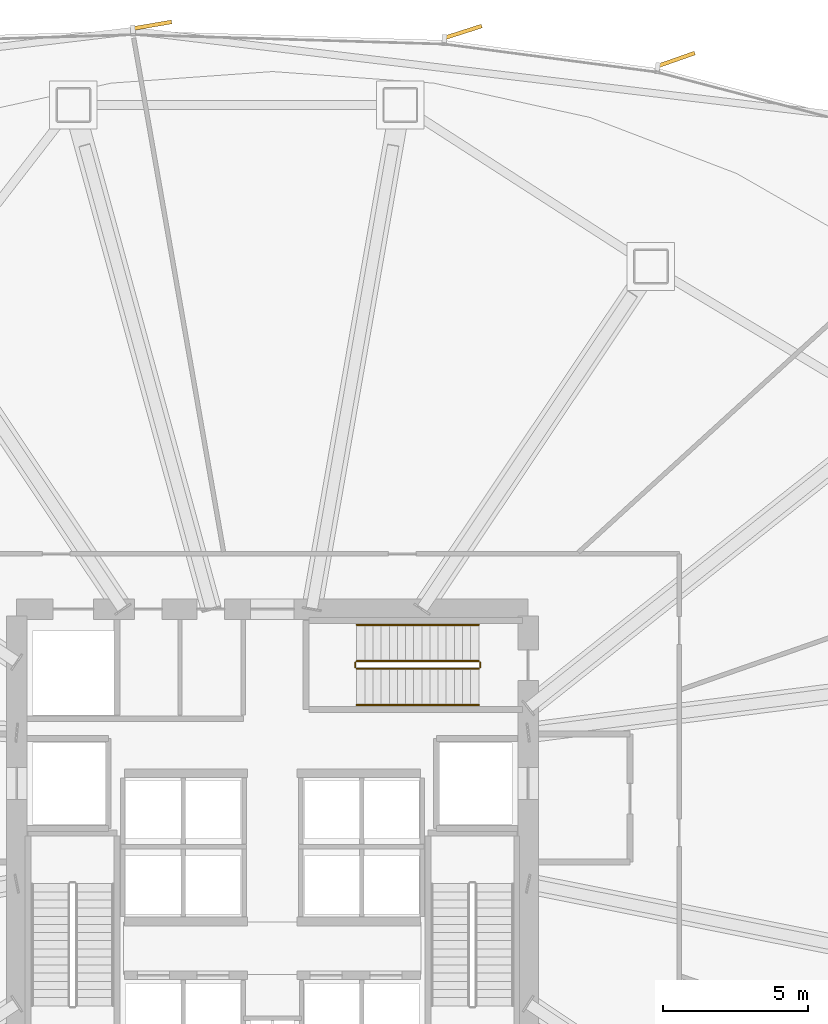
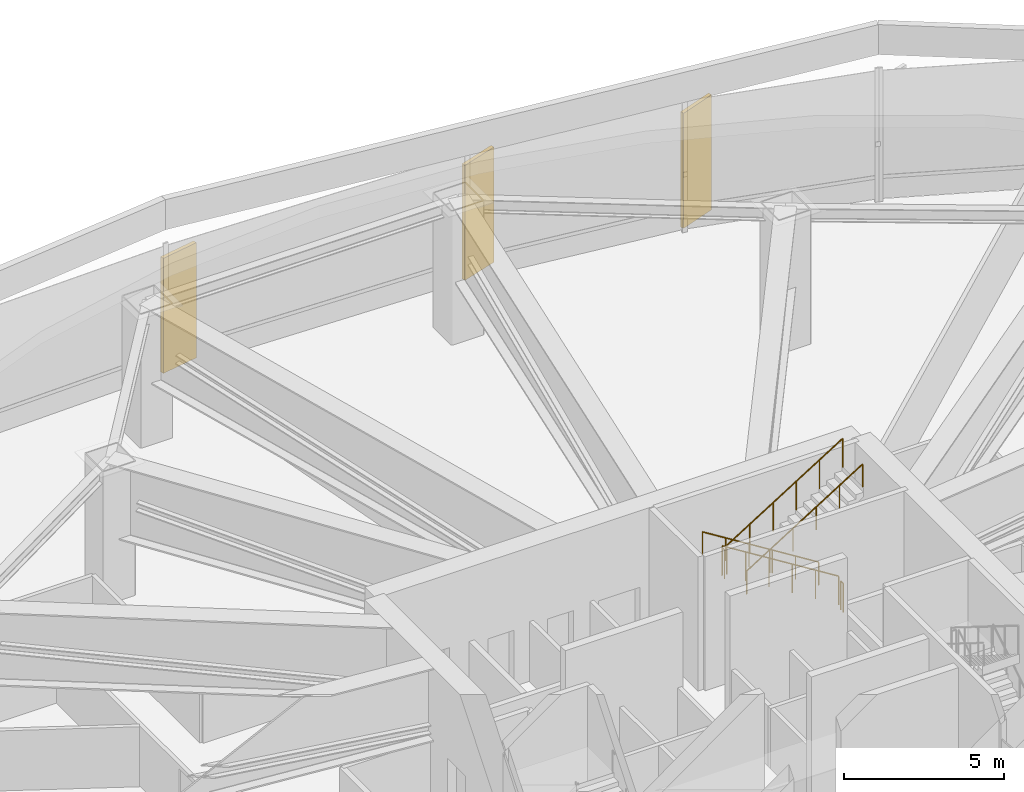
# One storey, part 35 of 36: 6 railings, 3 coverings.
"""IFC4 building model written with IfcOpenShell, lengths in metres."""

from ifc_helpers import new_model, si_unit, direction, frame, origin, origin_2d, place, context, subcontext, project, spatial, rectangle, circle, extrude, source, transform, mapped, material, layer, layer_set, type_object, element, save


model = new_model("IFC4")

# Units and contexts
model_context = context("Model", 3, precision=1e-05, world=origin(), true_north=direction((0.0, 1.0)))
body_context = subcontext(model_context, "Body", "Model", "MODEL_VIEW")
ifc_project = project(units=[si_unit("LENGTHUNIT", "METRE"), si_unit("AREAUNIT", "SQUARE_METRE"), si_unit("VOLUMEUNIT", "CUBIC_METRE"), si_unit("PLANEANGLEUNIT", "RADIAN"), si_unit("MASSUNIT", "GRAM", prefix="KILO"), si_unit("THERMODYNAMICTEMPERATUREUNIT", "KELVIN")], contexts=[model_context])

# Site, building, storey
site_placement = place(None, origin())
site = spatial("IfcSite", under=ifc_project, at=site_placement, CompositionType="ELEMENT")
building_placement = place(site_placement, origin())
building = spatial("IfcBuilding", under=site, at=building_placement, Name="Kethvar Cultural Tower", CompositionType="ELEMENT")
storey_placement = place(building_placement, frame((0.0, 0.0, 24.0)))
storey = spatial("IfcBuildingStorey", under=building, at=storey_placement, Name="L05", CompositionType="ELEMENT", Elevation=24.0)

# Railings
ifc_material_1 = material(Name="Steel S355J2", Category="steel")
railing_type_1 = type_object("IfcRailingType", Name="RL-STAIR-GUARD", PredefinedType="BALUSTRADE", material=ifc_material_1)
railing_1_placement = place(storey_placement, frame((53.89990234375, 33.7099609375, 0.175048828125)))
element("IfcRailing", 1, at=railing_1_placement, inside=storey, type_object=railing_type_1, Name="L05 ST-03 stair guard 1", PredefinedType="BALUSTRADE", context=body_context, shape_type="SweptSolid", body=[
    extrude(circle(Radius=0.02392578125, at=origin_2d()), frame((0.0, 0.0, 1.09619140625), z_axis=(-0.847995534698, 0.0, 0.530003370869), x_axis=(0.0, -1.0, 0.0)), (0.0, 0.0, 1.0), 4.952880859375),
    extrude(circle(Radius=0.02099609375, at=origin_2d()), origin(), (0.0, 0.0, 1.0), 1.072021484375),
    extrude(circle(Radius=0.02099609375, at=origin_2d()), frame((-0.840087890625, 0.0, 0.52490234375)), (0.0, 0.0, 1.0), 1.072021484375),
    extrude(circle(Radius=0.02099609375, at=origin_2d()), frame((-1.679931640625, 0.0, 1.050048828125)), (0.0, 0.0, 1.0), 1.072021484375),
    extrude(circle(Radius=0.02099609375, at=origin_2d()), frame((-2.52001953125, 0.0, 1.574951171875)), (0.0, 0.0, 1.0), 1.072021484375),
    extrude(circle(Radius=0.02099609375, at=origin_2d()), frame((-3.35986328125, 0.0, 2.10009765625)), (0.0, 0.0, 1.0), 1.072021484375),
    extrude(circle(Radius=0.02099609375, at=origin_2d()), frame((-4.199951171875, 0.0, 2.625)), (0.0, 0.0, 1.0), 1.072021484375),
])
railing_2_placement = place(storey_placement, frame((49.64990234375, 33.659912109375, 2.800048828125)))
element("IfcRailing", 2, at=railing_2_placement, inside=storey, type_object=railing_type_1, Name="L05 ST-03 stair guard 2", PredefinedType="BALUSTRADE", context=body_context, shape_type="SweptSolid", body=[
    extrude(circle(Radius=0.02392578125, at=origin_2d()), frame((0.0, 0.0, 1.09619140625), z_axis=(0.0, -1.0, 0.0), x_axis=(1.0, 0.0, 0.0)), (0.0, 0.0, 1.0), 0.159912109375),
    extrude(circle(Radius=0.02099609375, at=origin_2d()), origin(), (0.0, 0.0, 1.0), 1.072021484375),
    extrude(circle(Radius=0.02099609375, at=origin_2d()), frame((0.0, -0.159912109375, 0.0)), (0.0, 0.0, 1.0), 1.072021484375),
])
railing_3_placement = place(storey_placement, frame((49.699951171875, 33.449951171875, 2.97509765625)))
element("IfcRailing", 3, at=railing_3_placement, inside=storey, type_object=railing_type_1, Name="L05 ST-03 stair guard 3", PredefinedType="BALUSTRADE", context=body_context, shape_type="SweptSolid", body=[
    extrude(circle(Radius=0.02392578125, at=origin_2d()), frame((0.0, 0.0, 1.09619140625), z_axis=(0.847995534698, 0.0, 0.530003370869), x_axis=(0.0, 1.0, 0.0)), (0.0, 0.0, 1.0), 4.952880859375),
    extrude(circle(Radius=0.02099609375, at=origin_2d()), origin(), (0.0, 0.0, 1.0), 1.072021484375),
    extrude(circle(Radius=0.02099609375, at=origin_2d()), frame((0.840087890625, 0.0, 0.52490234375)), (0.0, 0.0, 1.0), 1.072021484375),
    extrude(circle(Radius=0.02099609375, at=origin_2d()), frame((1.679931640625, 0.0, 1.050048828125)), (0.0, 0.0, 1.0), 1.072021484375),
    extrude(circle(Radius=0.02099609375, at=origin_2d()), frame((2.52001953125, 0.0, 1.574951171875)), (0.0, 0.0, 1.0), 1.072021484375),
    extrude(circle(Radius=0.02099609375, at=origin_2d()), frame((3.35986328125, 0.0, 2.10009765625)), (0.0, 0.0, 1.0), 1.072021484375),
    extrude(circle(Radius=0.02099609375, at=origin_2d()), frame((4.199951171875, 0.0, 2.625)), (0.0, 0.0, 1.0), 1.072021484375),
])
railing_4_placement = place(storey_placement, frame((53.949951171875, 33.659912109375, 0.0)))
element("IfcRailing", 4, at=railing_4_placement, inside=storey, type_object=railing_type_1, Name="L05 ST-03 stair guard 4", PredefinedType="BALUSTRADE", context=body_context, shape_type="SweptSolid", body=[
    extrude(circle(Radius=0.02392578125, at=origin_2d()), frame((0.0, 0.0, 1.09619140625), z_axis=(0.0, -1.0, 0.0), x_axis=(1.0, 0.0, 0.0)), (0.0, 0.0, 1.0), 0.159912109375),
    extrude(circle(Radius=0.02099609375, at=origin_2d()), origin(), (0.0, 0.0, 1.0), 1.072021484375),
    extrude(circle(Radius=0.02099609375, at=origin_2d()), frame((0.0, -0.159912109375, 0.0)), (0.0, 0.0, 1.0), 1.072021484375),
])
railing_type_2 = type_object("IfcRailingType", Name="RL-STAIR-HANDRAIL", PredefinedType="HANDRAIL", material=ifc_material_1)
railing_5_placement = place(storey_placement, frame((53.89990234375, 34.9599609375, 0.175048828125)))
element("IfcRailing", 5, at=railing_5_placement, inside=storey, type_object=railing_type_2, Name="L05 ST-03 stair handrail 1", PredefinedType="HANDRAIL", context=body_context, shape_type="SweptSolid", body=[
    extrude(circle(Radius=0.02392578125, at=origin_2d()), frame((0.0, 0.0, 0.8759765625), z_axis=(-0.847995534698, 0.0, 0.530003370869), x_axis=(0.0, -1.0, 0.0)), (0.0, 0.0, 1.0), 4.952880859375),
    extrude(circle(Radius=0.02099609375, at=origin_2d()), origin(), (0.0, 0.0, 1.0), 0.851806640625),
    extrude(circle(Radius=0.02099609375, at=origin_2d()), frame((-0.840087890625, 0.0, 0.52490234375)), (0.0, 0.0, 1.0), 0.851806640625),
    extrude(circle(Radius=0.02099609375, at=origin_2d()), frame((-1.679931640625, 0.0, 1.050048828125)), (0.0, 0.0, 1.0), 0.851806640625),
    extrude(circle(Radius=0.02099609375, at=origin_2d()), frame((-2.52001953125, 0.0, 1.574951171875)), (0.0, 0.0, 1.0), 0.851806640625),
    extrude(circle(Radius=0.02099609375, at=origin_2d()), frame((-3.35986328125, 0.0, 2.10009765625)), (0.0, 0.0, 1.0), 0.851806640625),
    extrude(circle(Radius=0.02099609375, at=origin_2d()), frame((-4.199951171875, 0.0, 2.625)), (0.0, 0.0, 1.0), 0.851806640625),
])
railing_6_placement = place(storey_placement, frame((49.699951171875, 32.199951171875, 2.97509765625)))
element("IfcRailing", 6, at=railing_6_placement, inside=storey, type_object=railing_type_2, Name="L05 ST-03 stair handrail 2", PredefinedType="HANDRAIL", context=body_context, shape_type="SweptSolid", body=[
    extrude(circle(Radius=0.02392578125, at=origin_2d()), frame((0.0, 0.0, 0.8759765625), z_axis=(0.847995534698, 0.0, 0.530003370869), x_axis=(0.0, 1.0, 0.0)), (0.0, 0.0, 1.0), 4.952880859375),
    extrude(circle(Radius=0.02099609375, at=origin_2d()), origin(), (0.0, 0.0, 1.0), 0.851806640625),
    extrude(circle(Radius=0.02099609375, at=origin_2d()), frame((0.840087890625, 0.0, 0.52490234375)), (0.0, 0.0, 1.0), 0.851806640625),
    extrude(circle(Radius=0.02099609375, at=origin_2d()), frame((1.679931640625, 0.0, 1.050048828125)), (0.0, 0.0, 1.0), 0.851806640625),
    extrude(circle(Radius=0.02099609375, at=origin_2d()), frame((2.52001953125, 0.0, 1.574951171875)), (0.0, 0.0, 1.0), 0.851806640625),
    extrude(circle(Radius=0.02099609375, at=origin_2d()), frame((3.35986328125, 0.0, 2.10009765625)), (0.0, 0.0, 1.0), 0.851806640625),
    extrude(circle(Radius=0.02099609375, at=origin_2d()), frame((4.199951171875, 0.0, 2.625)), (0.0, 0.0, 1.0), 0.851806640625),
])

# Coverings
ifc_material_2 = material(Name="Extruded Architectural Terracotta", Category="masonry")
ifc_layer = layer(ifc_material_2, 0.135009765625, Name="Extruded Architectural Terracotta", Category="masonry")
ifc_layer_set = layer_set([ifc_layer], Name="Extruded Architectural Terracotta (135 mm)")
covering_type = type_object("IfcCoveringType", Name="Terracotta Facade Fin FIN-04", PredefinedType="CLADDING", material=ifc_layer_set)
shared_shape = source(origin(), body_context, "Body", "SweptSolid", [
    extrude(rectangle(XDim=1.35009765625, YDim=0.135009765625, at=origin_2d()), origin(), (0.0, 0.0, 1.0), 4.39990234375),
])
for number, where, z_axis, x_axis, name in (
    (7, (60.697021484375, 54.413818359375, 0.02001953125), (0.0, 0.0, 1.0), (0.943338546589, 0.331831864835, 0.0), "L05 Vertical Terracotta Fin 2.2"),
    (8, (53.361328125, 55.3623046875, 0.02001953125), (0.0, 0.0, 1.0), (0.952555295657, 0.304365583986, 0.0), "L05 Vertical Terracotta Fin 2.3"),
    (9, (42.662841796875, 55.593994140625, 0.02001953125), (0.0, 0.0, 1.0), (0.985615113142, 0.169005469575, 0.0), "L05 Vertical Terracotta Fin 2.4"),
):
    element("IfcCovering", number, at=place(storey_placement, frame(where, z_axis=z_axis, x_axis=x_axis)), inside=storey, type_object=covering_type, Name=name, PredefinedType="CLADDING", context=body_context, shape_type="MappedRepresentation", body=[
        mapped(shared_shape, transform((0.0, 0.0, 0.0), scale=1.0)),
    ])

save(model, "model.ifc")
